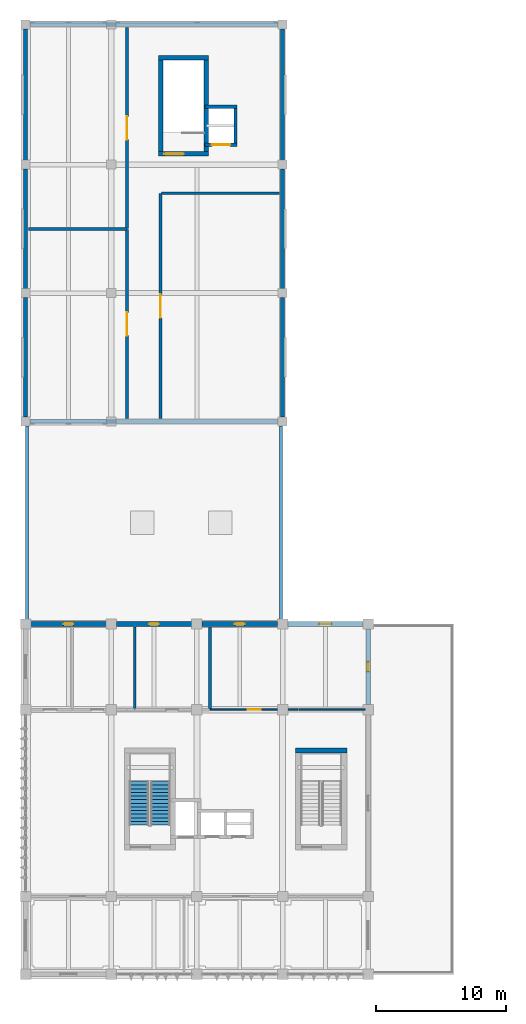
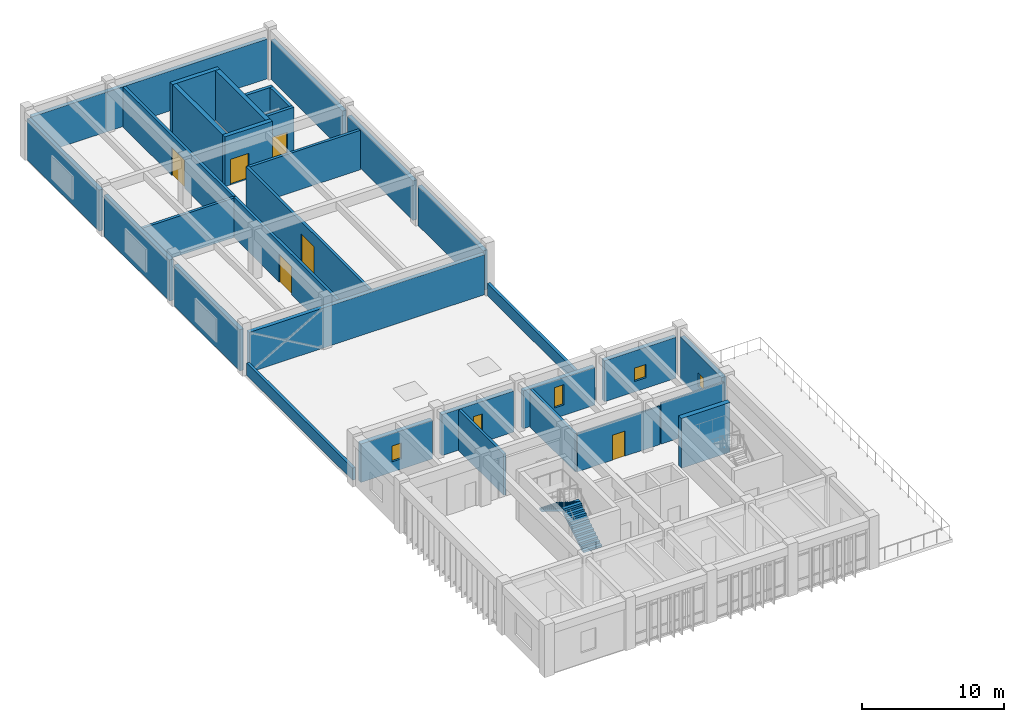
# One storey, part 15 of 18: 32 walls, 6 doors, 5 windows, 2 stair flights, 11 openings, 1 element without a shape of its own.
"""IFC4 building model written with IfcOpenShell, lengths in metres."""

from ifc_helpers import new_model, si_unit, direction, frame, frame_2d, origin, place, context, subcontext, project, spatial, polyline, rectangle, outline, extrude, material, layer, layer_set, type_object, element, fill, aggregate, save


model = new_model("IFC4")

# Units and contexts
model_context = context("Model", 3, precision=1e-05, world=origin(), true_north=direction((0.0, 1.0)))
body_context = subcontext(model_context, "Body", "Model", "MODEL_VIEW")
ifc_project = project(units=[si_unit("LENGTHUNIT", "METRE"), si_unit("AREAUNIT", "SQUARE_METRE"), si_unit("VOLUMEUNIT", "CUBIC_METRE"), si_unit("PLANEANGLEUNIT", "RADIAN"), si_unit("MASSUNIT", "GRAM", prefix="KILO")], contexts=[model_context])

# Site, building, storey
site_placement = place(None, origin())
site = spatial("IfcSite", under=ifc_project, at=site_placement, CompositionType="ELEMENT")
building_placement = place(site_placement, origin())
building = spatial("IfcBuilding", under=site, at=building_placement, Name="Miralva Faculty of Natural Sciences", CompositionType="ELEMENT")
storey_placement = place(building_placement, frame((0.0, 0.0, 28.5)))
storey = spatial("IfcBuildingStorey", under=building, at=storey_placement, Name="L06", CompositionType="ELEMENT", Elevation=28.5)

# Wall
ifc_material_1 = material(Name="Concrete C50/60", Category="concrete")
ifc_layer_1 = layer(ifc_material_1, 0.39990234375, Name="WL-CW01")
ifc_layer_set_1 = layer_set([ifc_layer_1], Name="Concrete C50/60")
wall_type_1 = type_object("IfcWallType", Name="WL-CW01", PredefinedType="SHEAR", material=ifc_layer_set_1)
wall_1_placement = place(storey_placement, frame((23.800048828125, 20.25, 0.0), z_axis=(0.0, 0.0, 1.0), x_axis=(1.0, 0.0, 0.0)))
element("IfcWall", 1, at=wall_1_placement, inside=storey, type_object=wall_type_1, Name="Core C1B shear wall north L06", PredefinedType="SHEAR", context=body_context, shape_type="SweptSolid", body=[
    extrude(rectangle(XDim=3.949951171875, YDim=0.39990234375, at=frame_2d((1.97509765625, 0.0))), origin(), (0.0, 0.0, 1.0), 4.280029296875),
])

# Wall, opening, door
ifc_layer_2 = layer(ifc_material_1, 0.35009765625, Name="WL-CW02")
ifc_layer_set_2 = layer_set([ifc_layer_2], Name="Concrete C50/60")
wall_type_2 = type_object("IfcWallType", Name="WL-CW02", PredefinedType="SHEAR", material=ifc_layer_set_2)
wall_2_placement = place(storey_placement, frame((13.25, 66.22509765625, 0.0), z_axis=(0.0, 0.0, 1.0), x_axis=(1.0, 0.0, 0.0)))
wall_2 = element("IfcWall", 2, at=wall_2_placement, inside=storey, type_object=wall_type_2, Name="Core C2 shear wall south L06", PredefinedType="SHEAR", context=body_context, shape_type="SweptSolid", body=[
    extrude(rectangle(XDim=3.85009765625, YDim=0.35009765625, at=frame_2d((1.925048828125, 0.0))), origin(), (0.0, 0.0, 1.0), 4.280029296875),
])
opening_1_placement = place(wall_2_placement, frame((0.449951171875, 0.0, 0.0)))
opening_1 = element("IfcOpeningElement", 3, at=opening_1_placement, cuts=wall_2, Name="Opening D-11", PredefinedType="OPENING", context=body_context, shape_type="SweptSolid", body=[
    extrude(rectangle(XDim=1.5, YDim=2.199951171875, at=frame_2d((0.75, 1.10009765625))), frame((0.0, 0.18505859375, 0.0), z_axis=(0.0, -1.0, 0.0), x_axis=(1.0, 0.0, 0.0)), (0.0, 0.0, 1.0), 0.3701171875),
])
ifc_material_2 = material(Name="Galvanised steel", Category="steel")
door_type_1 = type_object("IfcDoorType", Name="DR-DI11", OperationType="DOUBLE_DOOR_SINGLE_SWING", PredefinedType="DOOR", material=ifc_material_2)
door_1_placement = place(opening_1_placement, frame((1.5, 0.0, 0.0), z_axis=(0.0, 0.0, 1.0), x_axis=(-1.0, 0.0, 0.0)))
door_1 = element("IfcDoor", 4, at=door_1_placement, inside=storey, type_object=door_type_1, Name="Protected exit stair door Core C2 L06", OperationType="DOUBLE_DOOR_SINGLE_SWING", OverallHeight=2.199951171875, OverallWidth=1.5, PredefinedType="DOOR", context=body_context, shape_type="SweptSolid", body=[
    extrude(rectangle(XDim=1.5, YDim=2.199951171875, at=frame_2d((0.75, 1.10009765625))), frame((0.0, 0.02490234375, 0.0), z_axis=(0.0, -1.0, 0.0), x_axis=(1.0, 0.0, 0.0)), (0.0, 0.0, 1.0), 0.050048828125),
])
fill(opening_1, door_1)

# Walls
wall_3_placement = place(storey_placement, frame((13.25, 73.625, 0.0), z_axis=(0.0, 0.0, 1.0), x_axis=(1.0, 0.0, 0.0)))
element("IfcWall", 5, at=wall_3_placement, inside=storey, type_object=wall_type_2, Name="Core C2 shear wall north L06", PredefinedType="SHEAR", context=body_context, shape_type="SweptSolid", body=[
    extrude(rectangle(XDim=3.85009765625, YDim=0.35009765625, at=frame_2d((1.925048828125, 0.0))), origin(), (0.0, 0.0, 1.0), 4.280029296875),
])
for number, where, z_axis, x_axis, name in (
    (6, (13.425048828125, 66.39990234375, 0.0), (0.0, 0.0, 1.0), (0.0, 1.0, 0.0), "Core C2 shear wall west L06"),
    (7, (16.925048828125, 66.39990234375, 0.0), (0.0, 0.0, 1.0), (0.0, 1.0, 0.0), "Core C2 shear wall east L06"),
):
    element("IfcWall", number, at=place(storey_placement, frame(where, z_axis=z_axis, x_axis=x_axis)), inside=storey, type_object=wall_type_2, Name=name, PredefinedType="SHEAR", context=body_context, shape_type="SweptSolid", body=[
        extrude(rectangle(XDim=7.050048828125, YDim=0.35009765625, at=frame_2d((3.52490234375, 0.0))), origin(), (0.0, 0.0, 1.0), 4.280029296875),
    ])

# Wall, opening, door
ifc_material_3 = material(Name="Concrete C40/50", Category="concrete")
ifc_layer_3 = layer(ifc_material_3, 0.25, Name="WL-CW04")
ifc_layer_set_3 = layer_set([ifc_layer_3], Name="Concrete C40/50")
wall_type_3 = type_object("IfcWallType", Name="WL-CW04", PredefinedType="SHEAR", material=ifc_layer_set_3)
wall_4_placement = place(storey_placement, frame((16.804931640625, 66.929931640625, 0.0), z_axis=(0.0, 0.0, 1.0), x_axis=(1.0, 0.0, 0.0)))
wall_4 = element("IfcWall", 8, at=wall_4_placement, inside=storey, type_object=wall_type_3, Name="Lift L-04 hoistway front wall L06", PredefinedType="SHEAR", context=body_context, shape_type="SweptSolid", body=[
    extrude(rectangle(XDim=2.489990234375, YDim=0.25, at=frame_2d((1.2451171875, 0.0))), origin(), (0.0, 0.0, 1.0), 4.260009765625),
])
opening_2_placement = place(wall_4_placement, frame((0.544921875, 0.0, 0.0)))
opening_2 = element("IfcOpeningElement", 9, at=opening_2_placement, cuts=wall_4, Name="Opening LD-04", PredefinedType="OPENING", context=body_context, shape_type="SweptSolid", body=[
    extrude(rectangle(XDim=1.39990234375, YDim=2.300048828125, at=frame_2d((0.699951171875, 1.14990234375))), frame((0.0, 0.135009765625, 0.0), z_axis=(0.0, -1.0, 0.0), x_axis=(1.0, 0.0, 0.0)), (0.0, 0.0, 1.0), 0.27001953125),
])
door_type_2 = type_object("IfcDoorType", Name="DR-LD04", OperationType="DOUBLE_DOOR_SLIDING", PredefinedType="DOOR", material=ifc_material_2)
door_2_placement = place(opening_2_placement, frame((1.39990234375, 0.0, 0.0), z_axis=(0.0, 0.0, 1.0), x_axis=(-1.0, 0.0, 0.0)))
door_2 = element("IfcDoor", 10, at=door_2_placement, inside=storey, type_object=door_type_2, Name="Lift L-04 sliding landing door L06", OperationType="DOUBLE_DOOR_SLIDING", OverallHeight=2.300048828125, OverallWidth=1.39990234375, PredefinedType="DOOR", context=body_context, shape_type="SweptSolid", body=[
    extrude(rectangle(XDim=1.39990234375, YDim=2.300048828125, at=frame_2d((0.699951171875, 1.14990234375))), frame((0.0, 0.02490234375, 0.0), z_axis=(0.0, -1.0, 0.0), x_axis=(1.0, 0.0, 0.0)), (0.0, 0.0, 1.0), 0.050048828125),
])
fill(opening_2, door_2)

# Walls
wall_5_placement = place(storey_placement, frame((16.804931640625, 69.8701171875, 0.0), z_axis=(0.0, 0.0, 1.0), x_axis=(1.0, 0.0, 0.0)))
element("IfcWall", 11, at=wall_5_placement, inside=storey, type_object=wall_type_3, Name="Lift L-04 hoistway rear wall L06", PredefinedType="SHEAR", context=body_context, shape_type="SweptSolid", body=[
    extrude(rectangle(XDim=2.489990234375, YDim=0.25, at=frame_2d((1.2451171875, 0.0))), origin(), (0.0, 0.0, 1.0), 4.260009765625),
])
wall_6_placement = place(storey_placement, frame((19.169921875, 67.054931640625, 0.0), z_axis=(0.0, 0.0, 1.0), x_axis=(0.0, 1.0, 0.0)))
element("IfcWall", 12, at=wall_6_placement, inside=storey, type_object=wall_type_3, Name="Lift L-04 hoistway E wall L06", PredefinedType="SHEAR", context=body_context, shape_type="SweptSolid", body=[
    extrude(rectangle(XDim=2.690185546875, YDim=0.25, at=frame_2d((1.34521484375, 0.0))), origin(), (0.0, 0.0, 1.0), 4.260009765625),
])
ifc_material_4 = material(Name="Precast concrete C40/50", Category="concrete")
ifc_layer_4 = layer(ifc_material_4, 0.22998046875, Name="WL-PA01")
ifc_layer_set_4 = layer_set([ifc_layer_4], Name="Precast concrete C40/50")
wall_type_4 = type_object("IfcWallType", Name="WL-PA01", PredefinedType="PARAPET", material=ifc_layer_set_4)
for number, where, z_axis, x_axis, name in (
    (13, (3.1201171875, 30.35009765625, 0.0), (0.0, 0.0, 1.0), (0.0, 1.0, 0.0), "Roof parapet L06-13"),
    (14, (22.679931640625, 30.35009765625, 0.0), (0.0, 0.0, 1.0), (0.0, 1.0, 0.0), "Roof parapet L06-14"),
):
    element("IfcWall", number, at=place(storey_placement, frame(where, z_axis=z_axis, x_axis=x_axis)), inside=storey, type_object=wall_type_4, Name=name, PredefinedType="PARAPET", context=body_context, shape_type="SweptSolid", body=[
        extrude(rectangle(XDim=14.89990234375, YDim=0.22998046875, at=frame_2d((7.449951171875, 0.0))), origin(), (0.0, 0.0, 1.0), 1.050048828125),
    ])
ifc_material_5 = material(Name="Concrete C35/45", Category="concrete")
ifc_layer_5 = layer(ifc_material_5, 0.219970703125, Name="WL-PT01")
ifc_layer_set_5 = layer_set([ifc_layer_5], Name="Concrete C35/45")
wall_type_5 = type_object("IfcWallType", Name="WL-PT01", PredefinedType="PARTITIONING", material=ifc_layer_set_5)
wall_7_placement = place(storey_placement, frame((3.22998046875, 60.449951171875, 0.0), z_axis=(0.0, 0.0, 1.0), x_axis=(1.0, 0.0, 0.0)))
element("IfcWall", 15, at=wall_7_placement, inside=storey, type_object=wall_type_5, Name="Interior partition PT-01 L06-502", PredefinedType="PARTITIONING", context=body_context, shape_type="SweptSolid", body=[
    extrude(rectangle(XDim=7.5400390625, YDim=0.219970703125, at=frame_2d((3.77001953125, 0.0))), origin(), (0.0, 0.0, 1.0), 3.39501953125),
])

# Wall, opening, door
wall_8_placement = place(storey_placement, frame((10.800048828125, 45.830078125, 0.0), z_axis=(0.0, 0.0, 1.0), x_axis=(0.0, 1.0, 0.0)))
wall_8 = element("IfcWall", 16, at=wall_8_placement, inside=storey, type_object=wall_type_5, Name="Interior partition PT-01 L06-503", PredefinedType="PARTITIONING", context=body_context, shape_type="SweptSolid", body=[
    extrude(rectangle(XDim=14.58984375, YDim=0.219970703125, at=frame_2d((7.294921875, 0.0))), origin(), (0.0, 0.0, 1.0), 3.445068359375),
])
opening_3_placement = place(wall_8_placement, frame((6.39501953125, 0.0, 0.0)))
opening_3 = element("IfcOpeningElement", 17, at=opening_3_placement, cuts=wall_8, Name="Opening D-16", PredefinedType="OPENING", context=body_context, shape_type="SweptSolid", body=[
    extrude(rectangle(XDim=1.800048828125, YDim=2.39990234375, at=frame_2d((0.89990234375, 1.199951171875))), frame((0.0, 0.119873046875, 0.0), z_axis=(0.0, -1.0, 0.0), x_axis=(1.0, 0.0, 0.0)), (0.0, 0.0, 1.0), 0.239990234375),
])
door_type_3 = type_object("IfcDoorType", Name="DR-DI16", OperationType="DOUBLE_DOOR_SINGLE_SWING", PredefinedType="DOOR", material=ifc_material_2)
door_3_placement = place(opening_3_placement, origin())
door_3 = element("IfcDoor", 18, at=door_3_placement, inside=storey, type_object=door_type_3, Name="Interior door D-16 L06-187", OperationType="DOUBLE_DOOR_SINGLE_SWING", OverallHeight=2.39990234375, OverallWidth=1.800048828125, PredefinedType="DOOR", context=body_context, shape_type="SweptSolid", body=[
    extrude(rectangle(XDim=1.800048828125, YDim=2.39990234375, at=frame_2d((0.89990234375, 1.199951171875))), frame((0.0, 0.02490234375, 0.0), z_axis=(0.0, -1.0, 0.0), x_axis=(1.0, 0.0, 0.0)), (0.0, 0.0, 1.0), 0.050048828125),
])
fill(opening_3, door_3)

wall_9_placement = place(storey_placement, frame((13.39990234375, 45.830078125, 0.0), z_axis=(0.0, 0.0, 1.0), x_axis=(0.0, 1.0, 0.0)))
wall_9 = element("IfcWall", 19, at=wall_9_placement, inside=storey, type_object=wall_type_5, Name="Interior partition PT-01 L06-504", PredefinedType="PARTITIONING", context=body_context, shape_type="SweptSolid", body=[
    extrude(rectangle(XDim=17.33984375, YDim=0.219970703125, at=frame_2d((8.669921875, 0.0))), origin(), (0.0, 0.0, 1.0), 3.445068359375),
])
opening_4_placement = place(wall_9_placement, frame((7.77001953125, 0.0, 0.0)))
opening_4 = element("IfcOpeningElement", 20, at=opening_4_placement, cuts=wall_9, Name="Opening D-16", PredefinedType="OPENING", context=body_context, shape_type="SweptSolid", body=[
    extrude(rectangle(XDim=1.800048828125, YDim=2.39990234375, at=frame_2d((0.89990234375, 1.199951171875))), frame((0.0, 0.119873046875, 0.0), z_axis=(0.0, -1.0, 0.0), x_axis=(1.0, 0.0, 0.0)), (0.0, 0.0, 1.0), 0.239990234375),
])
door_4_placement = place(opening_4_placement, origin())
door_4 = element("IfcDoor", 21, at=door_4_placement, inside=storey, type_object=door_type_3, Name="Interior door D-16 L06-188", OperationType="DOUBLE_DOOR_SINGLE_SWING", OverallHeight=2.39990234375, OverallWidth=1.800048828125, PredefinedType="DOOR", context=body_context, shape_type="SweptSolid", body=[
    extrude(rectangle(XDim=1.800048828125, YDim=2.39990234375, at=frame_2d((0.89990234375, 1.199951171875))), frame((0.0, 0.02490234375, 0.0), z_axis=(0.0, -1.0, 0.0), x_axis=(1.0, 0.0, 0.0)), (0.0, 0.0, 1.0), 0.050048828125),
])
fill(opening_4, door_4)

# Wall
wall_10_placement = place(storey_placement, frame((13.455078125, 63.199951171875, 0.0), z_axis=(0.0, 0.0, 1.0), x_axis=(1.0, 0.0, 0.0)))
element("IfcWall", 22, at=wall_10_placement, inside=storey, type_object=wall_type_5, Name="Interior partition PT-01 L06-505", PredefinedType="PARTITIONING", context=body_context, shape_type="SweptSolid", body=[
    extrude(rectangle(XDim=9.114990234375, YDim=0.219970703125, at=frame_2d((4.5576171875, 0.0))), origin(), (0.0, 0.0, 1.0), 3.39501953125),
])

# Wall, opening, door
wall_11_placement = place(storey_placement, frame((10.800048828125, 60.47998046875, 0.0), z_axis=(0.0, 0.0, 1.0), x_axis=(0.0, 1.0, 0.0)))
wall_11 = element("IfcWall", 23, at=wall_11_placement, inside=storey, type_object=wall_type_5, Name="Interior partition PT-01 L06-506", PredefinedType="PARTITIONING", context=body_context, shape_type="SweptSolid", body=[
    extrude(rectangle(XDim=15.489990234375, YDim=0.219970703125, at=frame_2d((7.7451171875, 0.0))), origin(), (0.0, 0.0, 1.0), 3.445068359375),
])
opening_5_placement = place(wall_11_placement, frame((6.844970703125, 0.0, 0.0)))
opening_5 = element("IfcOpeningElement", 24, at=opening_5_placement, cuts=wall_11, Name="Opening D-16", PredefinedType="OPENING", context=body_context, shape_type="SweptSolid", body=[
    extrude(rectangle(XDim=1.800048828125, YDim=2.39990234375, at=frame_2d((0.89990234375, 1.199951171875))), frame((0.0, 0.119873046875, 0.0), z_axis=(0.0, -1.0, 0.0), x_axis=(1.0, 0.0, 0.0)), (0.0, 0.0, 1.0), 0.239990234375),
])
door_5_placement = place(opening_5_placement, origin())
door_5 = element("IfcDoor", 25, at=door_5_placement, inside=storey, type_object=door_type_3, Name="Interior door D-16 L06-189", OperationType="DOUBLE_DOOR_SINGLE_SWING", OverallHeight=2.39990234375, OverallWidth=1.800048828125, PredefinedType="DOOR", context=body_context, shape_type="SweptSolid", body=[
    extrude(rectangle(XDim=1.800048828125, YDim=2.39990234375, at=frame_2d((0.89990234375, 1.199951171875))), frame((0.0, 0.02490234375, 0.0), z_axis=(0.0, -1.0, 0.0), x_axis=(1.0, 0.0, 0.0)), (0.0, 0.0, 1.0), 0.050048828125),
])
fill(opening_5, door_5)

# Wall
ifc_material_6 = material(Name="Gypsum plasterboard")
ifc_layer_6 = layer(ifc_material_6, 0.125, Name="WL-PT05")
ifc_layer_set_6 = layer_set([ifc_layer_6], Name="Gypsum plasterboard")
wall_type_6 = type_object("IfcWallType", Name="WL-PT05", PredefinedType="PARTITIONING", material=ifc_layer_set_6)
wall_12_placement = place(storey_placement, frame((24.030029296875, 23.39990234375, 0.0), z_axis=(0.0, 0.0, 1.0), x_axis=(1.0, 0.0, 0.0)))
element("IfcWall", 26, at=wall_12_placement, inside=storey, type_object=wall_type_6, Name="Interior partition PT-05 L06-500", PredefinedType="PARTITIONING", context=body_context, shape_type="SweptSolid", body=[
    extrude(rectangle(XDim=5.139892578125, YDim=0.125, at=frame_2d((2.56982421875, 0.0))), origin(), (0.0, 0.0, 1.0), 3.52490234375),
])

# Wall, opening, door
wall_13_placement = place(storey_placement, frame((17.22998046875, 23.39990234375, 0.0), z_axis=(0.0, 0.0, 1.0), x_axis=(1.0, 0.0, 0.0)))
wall_13 = element("IfcWall", 27, at=wall_13_placement, inside=storey, type_object=wall_type_6, Name="Interior partition PT-05 L06-501", PredefinedType="PARTITIONING", context=body_context, shape_type="SweptSolid", body=[
    extrude(rectangle(XDim=6.739990234375, YDim=0.125, at=frame_2d((3.3701171875, 0.0))), origin(), (0.0, 0.0, 1.0), 3.294921875),
])
opening_6_placement = place(wall_13_placement, frame((2.8701171875, 0.0, 0.0)))
opening_6 = element("IfcOpeningElement", 28, at=opening_6_placement, cuts=wall_13, Name="Opening D-25", PredefinedType="OPENING", context=body_context, shape_type="SweptSolid", body=[
    extrude(rectangle(XDim=1.0, YDim=2.14990234375, at=frame_2d((0.5, 1.074951171875))), frame((0.0, 0.072509765625, 0.0), z_axis=(0.0, -1.0, 0.0), x_axis=(1.0, 0.0, 0.0)), (0.0, 0.0, 1.0), 0.14501953125),
])
ifc_material_7 = material(Name="Anodised aluminium", Category="aluminium")
door_type_4 = type_object("IfcDoorType", Name="DR-DI25", OperationType="NOTDEFINED", PredefinedType="DOOR", material=ifc_material_7)
door_6_placement = place(opening_6_placement, origin())
door_6 = element("IfcDoor", 29, at=door_6_placement, inside=storey, type_object=door_type_4, Name="Interior door D-25 L06-186", OperationType="SINGLE_SWING_LEFT", OverallHeight=2.14990234375, OverallWidth=1.0, PredefinedType="DOOR", context=body_context, shape_type="SweptSolid", body=[
    extrude(rectangle(XDim=1.0, YDim=2.14990234375, at=frame_2d((0.5, 1.074951171875))), frame((0.0, 0.02490234375, 0.0), z_axis=(0.0, -1.0, 0.0), x_axis=(1.0, 0.0, 0.0)), (0.0, 0.0, 1.0), 0.050048828125),
])
fill(opening_6, door_6)

# Walls
ifc_layer_7 = layer(ifc_material_6, 0.2099609375, Name="WL-PT06")
ifc_layer_set_7 = layer_set([ifc_layer_7], Name="Gypsum plasterboard")
wall_type_7 = type_object("IfcWallType", Name="WL-PT06", PredefinedType="PLUMBINGWALL", material=ifc_layer_set_7)
wall_14_placement = place(storey_placement, frame((11.39990234375, 23.429931640625, 0.0), z_axis=(0.0, 0.0, 1.0), x_axis=(0.0, 1.0, 0.0)))
element("IfcWall", 30, at=wall_14_placement, inside=storey, type_object=wall_type_7, Name="Interior partition PT-06 L06-495", PredefinedType="PLUMBINGWALL", context=body_context, shape_type="SweptSolid", body=[
    extrude(rectangle(XDim=6.340087890625, YDim=0.2099609375, at=frame_2d((3.169921875, 0.0))), origin(), (0.0, 0.0, 1.0), 3.52490234375),
])
wall_15_placement = place(storey_placement, frame((17.199951171875, 23.429931640625, 0.0), z_axis=(0.0, 0.0, 1.0), x_axis=(0.0, 1.0, 0.0)))
element("IfcWall", 31, at=wall_15_placement, inside=storey, type_object=wall_type_7, Name="Interior partition PT-06 L06-498", PredefinedType="PLUMBINGWALL", context=body_context, shape_type="SweptSolid", body=[
    extrude(rectangle(XDim=6.340087890625, YDim=0.2099609375, at=frame_2d((3.169921875, 0.0))), origin(), (0.0, 0.0, 1.0), 3.2548828125),
])

# Wall, opening, window
ifc_material_8 = material(Name="Volcanic tuff architectural stone", Category="masonry")
ifc_layer_8 = layer(ifc_material_8, 0.360107421875, Name="WL-WT01")
ifc_layer_set_8 = layer_set([ifc_layer_8], Name="Volcanic tuff architectural stone")
wall_type_8 = type_object("IfcWallType", Name="WL-WT01", PredefinedType="SOLIDWALL", material=ifc_layer_set_8)
wall_16_placement = place(storey_placement, frame((29.39990234375, 23.784912109375, 0.0), z_axis=(0.0, 0.0, 1.0), x_axis=(0.0, 1.0, 0.0)))
wall_16 = element("IfcWall", 32, at=wall_16_placement, inside=storey, type_object=wall_type_8, Name="Exterior wall L06-111", PredefinedType="SOLIDWALL", context=body_context, shape_type="SweptSolid", body=[
    extrude(rectangle(XDim=5.830078125, YDim=0.360107421875, at=frame_2d((2.9150390625, 0.0))), origin(), (0.0, 0.0, 1.0), 3.625),
])
opening_7_placement = place(wall_16_placement, frame((2.5400390625, 0.0, 0.89990234375)))
opening_7 = element("IfcOpeningElement", 33, at=opening_7_placement, cuts=wall_16, Name="Opening W-41", PredefinedType="OPENING", context=body_context, shape_type="SweptSolid", body=[
    extrude(rectangle(XDim=0.75, YDim=1.14990234375, at=frame_2d((0.375, 0.574951171875))), frame((0.0, 0.18994140625, 0.0), z_axis=(0.0, -1.0, 0.0), x_axis=(1.0, 0.0, 0.0)), (0.0, 0.0, 1.0), 0.380126953125),
])
ifc_material_9 = material(Name="Laminated solar-control glass", Category="glass")
window_type_1 = type_object("IfcWindowType", Name="WN-W41", PartitioningType="DOUBLE_PANEL_VERTICAL", PredefinedType="WINDOW", material=ifc_material_9)
window_1_placement = place(opening_7_placement, frame((0.75, 0.0, 0.0), z_axis=(0.0, 0.0, 1.0), x_axis=(-1.0, 0.0, 0.0)))
window_1 = element("IfcWindow", 34, at=window_1_placement, inside=storey, type_object=window_type_1, Name="Window W-41 L06-56", OverallHeight=1.14990234375, OverallWidth=0.75, PartitioningType="DOUBLE_PANEL_VERTICAL", PredefinedType="WINDOW", context=body_context, shape_type="SweptSolid", body=[
    extrude(rectangle(XDim=0.75, YDim=1.14990234375, at=frame_2d((0.375, 0.574951171875))), frame((0.0, 0.030029296875, 0.0), z_axis=(0.0, -1.0, 0.0), x_axis=(1.0, 0.0, 0.0)), (0.0, 0.0, 1.0), 0.06005859375),
])
fill(opening_7, window_1)

wall_17_placement = place(storey_placement, frame((3.385009765625, 30.0, 0.0), z_axis=(0.0, 0.0, 1.0), x_axis=(1.0, 0.0, 0.0)))
wall_17 = element("IfcWall", 35, at=wall_17_placement, inside=storey, type_object=wall_type_8, Name="Exterior wall L06-112", PredefinedType="SOLIDWALL", context=body_context, shape_type="SweptSolid", body=[
    extrude(rectangle(XDim=5.830078125, YDim=0.360107421875, at=frame_2d((2.9150390625, 0.0))), origin(), (0.0, 0.0, 1.0), 3.31494140625),
])
opening_8_placement = place(wall_17_placement, frame((2.5400390625, 0.0, 0.89990234375)))
opening_8 = element("IfcOpeningElement", 36, at=opening_8_placement, cuts=wall_17, Name="Opening W-42", PredefinedType="OPENING", context=body_context, shape_type="SweptSolid", body=[
    extrude(rectangle(XDim=0.75, YDim=1.35009765625, at=frame_2d((0.375, 0.675048828125))), frame((0.0, 0.18994140625, 0.0), z_axis=(0.0, -1.0, 0.0), x_axis=(1.0, 0.0, 0.0)), (0.0, 0.0, 1.0), 0.380126953125),
])
window_type_2 = type_object("IfcWindowType", Name="WN-W42", PartitioningType="DOUBLE_PANEL_VERTICAL", PredefinedType="WINDOW", material=ifc_material_9)
window_2_placement = place(opening_8_placement, origin())
window_2 = element("IfcWindow", 37, at=window_2_placement, inside=storey, type_object=window_type_2, Name="Window W-42 L06-57", OverallHeight=1.35009765625, OverallWidth=0.75, PartitioningType="DOUBLE_PANEL_VERTICAL", PredefinedType="WINDOW", context=body_context, shape_type="SweptSolid", body=[
    extrude(rectangle(XDim=0.75, YDim=1.35009765625, at=frame_2d((0.375, 0.675048828125))), frame((0.0, 0.030029296875, 0.0), z_axis=(0.0, -1.0, 0.0), x_axis=(1.0, 0.0, 0.0)), (0.0, 0.0, 1.0), 0.06005859375),
])
fill(opening_8, window_2)

wall_18_placement = place(storey_placement, frame((9.985107421875, 30.0, 0.0), z_axis=(0.0, 0.0, 1.0), x_axis=(1.0, 0.0, 0.0)))
wall_18 = element("IfcWall", 38, at=wall_18_placement, inside=storey, type_object=wall_type_8, Name="Exterior wall L06-113", PredefinedType="SOLIDWALL", context=body_context, shape_type="SweptSolid", body=[
    extrude(rectangle(XDim=5.829833984375, YDim=0.360107421875, at=frame_2d((2.9150390625, 0.0))), origin(), (0.0, 0.0, 1.0), 3.52490234375),
])
opening_9_placement = place(wall_18_placement, frame((2.5400390625, 0.0, 0.89990234375)))
opening_9 = element("IfcOpeningElement", 39, at=opening_9_placement, cuts=wall_18, Name="Opening W-43", PredefinedType="OPENING", context=body_context, shape_type="SweptSolid", body=[
    extrude(rectangle(XDim=0.75, YDim=1.550048828125, at=frame_2d((0.375, 0.77490234375))), frame((0.0, 0.18994140625, 0.0), z_axis=(0.0, -1.0, 0.0), x_axis=(1.0, 0.0, 0.0)), (0.0, 0.0, 1.0), 0.380126953125),
])
window_type_3 = type_object("IfcWindowType", Name="WN-W43", PartitioningType="DOUBLE_PANEL_VERTICAL", PredefinedType="WINDOW", material=ifc_material_9)
window_3_placement = place(opening_9_placement, origin())
window_3 = element("IfcWindow", 40, at=window_3_placement, inside=storey, type_object=window_type_3, Name="Window W-43 L06-58", OverallHeight=1.550048828125, OverallWidth=0.75, PartitioningType="DOUBLE_PANEL_VERTICAL", PredefinedType="WINDOW", context=body_context, shape_type="SweptSolid", body=[
    extrude(rectangle(XDim=0.75, YDim=1.550048828125, at=frame_2d((0.375, 0.77490234375))), frame((0.0, 0.030029296875, 0.0), z_axis=(0.0, -1.0, 0.0), x_axis=(1.0, 0.0, 0.0)), (0.0, 0.0, 1.0), 0.06005859375),
])
fill(opening_9, window_3)

wall_19_placement = place(storey_placement, frame((16.5849609375, 30.0, 0.0), z_axis=(0.0, 0.0, 1.0), x_axis=(1.0, 0.0, 0.0)))
wall_19 = element("IfcWall", 41, at=wall_19_placement, inside=storey, type_object=wall_type_8, Name="Exterior wall L06-114", PredefinedType="SOLIDWALL", context=body_context, shape_type="SweptSolid", body=[
    extrude(rectangle(XDim=5.830078125, YDim=0.360107421875, at=frame_2d((2.9150390625, 0.0))), origin(), (0.0, 0.0, 1.0), 3.2548828125),
])
opening_10_placement = place(wall_19_placement, frame((2.5400390625, 0.0, 0.89990234375)))
opening_10 = element("IfcOpeningElement", 42, at=opening_10_placement, cuts=wall_19, Name="Opening W-44", PredefinedType="OPENING", context=body_context, shape_type="SweptSolid", body=[
    extrude(rectangle(XDim=0.75, YDim=1.75, at=frame_2d((0.375, 0.875))), frame((0.0, 0.18994140625, 0.0), z_axis=(0.0, -1.0, 0.0), x_axis=(1.0, 0.0, 0.0)), (0.0, 0.0, 1.0), 0.380126953125),
])
window_type_4 = type_object("IfcWindowType", Name="WN-W44", PartitioningType="DOUBLE_PANEL_VERTICAL", PredefinedType="WINDOW", material=ifc_material_9)
window_4_placement = place(opening_10_placement, origin())
window_4 = element("IfcWindow", 43, at=window_4_placement, inside=storey, type_object=window_type_4, Name="Window W-44 L06-59", OverallHeight=1.75, OverallWidth=0.75, PartitioningType="DOUBLE_PANEL_VERTICAL", PredefinedType="WINDOW", context=body_context, shape_type="SweptSolid", body=[
    extrude(rectangle(XDim=0.75, YDim=1.75, at=frame_2d((0.375, 0.875))), frame((0.0, 0.030029296875, 0.0), z_axis=(0.0, -1.0, 0.0), x_axis=(1.0, 0.0, 0.0)), (0.0, 0.0, 1.0), 0.06005859375),
])
fill(opening_10, window_4)

wall_20_placement = place(storey_placement, frame((23.18505859375, 30.0, 0.0), z_axis=(0.0, 0.0, 1.0), x_axis=(1.0, 0.0, 0.0)))
wall_20 = element("IfcWall", 44, at=wall_20_placement, inside=storey, type_object=wall_type_8, Name="Exterior wall L06-115", PredefinedType="SOLIDWALL", context=body_context, shape_type="SweptSolid", body=[
    extrude(rectangle(XDim=5.829833984375, YDim=0.360107421875, at=frame_2d((2.9150390625, 0.0))), origin(), (0.0, 0.0, 1.0), 3.52490234375),
])
opening_11_placement = place(wall_20_placement, frame((2.43994140625, 0.0, 0.89990234375)))
opening_11 = element("IfcOpeningElement", 45, at=opening_11_placement, cuts=wall_20, Name="Opening W-45", PredefinedType="OPENING", context=body_context, shape_type="SweptSolid", body=[
    extrude(rectangle(XDim=0.949951171875, YDim=1.14990234375, at=frame_2d((0.47509765625, 0.574951171875))), frame((0.0, 0.18994140625, 0.0), z_axis=(0.0, -1.0, 0.0), x_axis=(1.0, 0.0, 0.0)), (0.0, 0.0, 1.0), 0.380126953125),
])
window_type_5 = type_object("IfcWindowType", Name="WN-W45", PartitioningType="DOUBLE_PANEL_VERTICAL", PredefinedType="WINDOW", material=ifc_material_9)
window_5_placement = place(opening_11_placement, origin())
window_5 = element("IfcWindow", 46, at=window_5_placement, inside=storey, type_object=window_type_5, Name="Window W-45 L06-60", OverallHeight=1.14990234375, OverallWidth=0.949951171875, PartitioningType="DOUBLE_PANEL_VERTICAL", PredefinedType="WINDOW", context=body_context, shape_type="SweptSolid", body=[
    extrude(rectangle(XDim=0.949951171875, YDim=1.14990234375, at=frame_2d((0.47509765625, 0.574951171875))), frame((0.0, 0.030029296875, 0.0), z_axis=(0.0, -1.0, 0.0), x_axis=(1.0, 0.0, 0.0)), (0.0, 0.0, 1.0), 0.06005859375),
])
fill(opening_11, window_5)

# Walls
ifc_layer_9 = layer(ifc_material_4, 0.320068359375, Name="WL-WT02")
ifc_layer_set_9 = layer_set([ifc_layer_9], Name="Precast concrete C40/50")
wall_type_9 = type_object("IfcWallType", Name="WL-WT02", PredefinedType="SOLIDWALL", material=ifc_layer_set_9)
for number, where, z_axis, x_axis, name in (
    (47, (3.0, 45.93505859375, 0.0), (0.0, 0.0, 1.0), (0.0, 1.0, 0.0), "Exterior wall L06-280"),
    (48, (3.0, 55.8349609375, 0.0), (0.0, 0.0, 1.0), (0.0, 1.0, 0.0), "Exterior wall L06-281"),
):
    element("IfcWall", number, at=place(storey_placement, frame(where, z_axis=z_axis, x_axis=x_axis)), inside=storey, type_object=wall_type_9, Name=name, PredefinedType="SOLIDWALL", context=body_context, shape_type="SweptSolid", body=[
        extrude(rectangle(XDim=9.22998046875, YDim=0.320068359375, at=frame_2d((4.614990234375, 0.0))), origin(), (0.0, 0.0, 1.0), 3.544921875),
    ])
wall_21_placement = place(storey_placement, frame((3.0, 65.735107421875, 0.0), z_axis=(0.0, 0.0, 1.0), x_axis=(0.0, 1.0, 0.0)))
element("IfcWall", 49, at=wall_21_placement, inside=storey, type_object=wall_type_9, Name="Exterior wall L06-282", PredefinedType="SOLIDWALL", context=body_context, shape_type="SweptSolid", body=[
    extrude(rectangle(XDim=10.1298828125, YDim=0.320068359375, at=frame_2d((5.06494140625, 0.0))), origin(), (0.0, 0.0, 1.0), 3.544921875),
])
for number, where, z_axis, x_axis, name in (
    (50, (22.800048828125, 45.93505859375, 0.0), (0.0, 0.0, 1.0), (0.0, 1.0, 0.0), "Exterior wall L06-283"),
    (51, (22.800048828125, 55.8349609375, 0.0), (0.0, 0.0, 1.0), (0.0, 1.0, 0.0), "Exterior wall L06-284"),
):
    element("IfcWall", number, at=place(storey_placement, frame(where, z_axis=z_axis, x_axis=x_axis)), inside=storey, type_object=wall_type_9, Name=name, PredefinedType="SOLIDWALL", context=body_context, shape_type="SweptSolid", body=[
        extrude(rectangle(XDim=9.22998046875, YDim=0.320068359375, at=frame_2d((4.614990234375, 0.0))), origin(), (0.0, 0.0, 1.0), 3.39501953125),
    ])
wall_22_placement = place(storey_placement, frame((22.800048828125, 65.735107421875, 0.0), z_axis=(0.0, 0.0, 1.0), x_axis=(0.0, 1.0, 0.0)))
element("IfcWall", 52, at=wall_22_placement, inside=storey, type_object=wall_type_9, Name="Exterior wall L06-285", PredefinedType="SOLIDWALL", context=body_context, shape_type="SweptSolid", body=[
    extrude(rectangle(XDim=10.1298828125, YDim=0.320068359375, at=frame_2d((5.06494140625, 0.0))), origin(), (0.0, 0.0, 1.0), 3.39501953125),
])
wall_23_placement = place(storey_placement, frame((3.3349609375, 76.199951171875, 0.0), z_axis=(0.0, 0.0, 1.0), x_axis=(1.0, 0.0, 0.0)))
element("IfcWall", 53, at=wall_23_placement, inside=storey, type_object=wall_type_9, Name="Exterior wall L06-286", PredefinedType="SOLIDWALL", context=body_context, shape_type="SweptSolid", body=[
    extrude(rectangle(XDim=19.130126953125, YDim=0.320068359375, at=frame_2d((9.56494140625, 0.0))), origin(), (0.0, 0.0, 1.0), 3.425048828125),
])
wall_24_placement = place(storey_placement, frame((3.3349609375, 45.60009765625, 0.0), z_axis=(0.0, 0.0, 1.0), x_axis=(1.0, 0.0, 0.0)))
element("IfcWall", 54, at=wall_24_placement, inside=storey, type_object=wall_type_9, Name="Exterior wall L06-287", PredefinedType="SOLIDWALL", context=body_context, shape_type="SweptSolid", body=[
    extrude(rectangle(XDim=19.130126953125, YDim=0.320068359375, at=frame_2d((9.56494140625, 0.0))), origin(), (0.0, 0.0, 1.0), 3.445068359375),
])

# Stair, stair flights
stair_type = type_object("IfcStairType", Name="ST-CORE-450", PredefinedType="HALF_TURN_STAIR", material=ifc_material_3)
stair_placement = place(storey_placement, origin())
stair = element("IfcStair", 55, at=stair_placement, inside=storey, type_object=stair_type, Name="Exit Stair Core C1 (ST-03) L06", PredefinedType="HALF_TURN_STAIR")
ifc_layer_10 = layer(ifc_material_3, 0.159912109375, Name="SFL-160-166")
ifc_layer_set_10 = layer_set([ifc_layer_10], Name="Concrete C40/50")
stair_flight_type = type_object("IfcStairFlightType", Name="SFL-160-166", PredefinedType="STRAIGHT", material=ifc_layer_set_10)
stair_flight_1_placement = place(storey_placement, frame((13.39990234375, 14.5, 0.0), z_axis=(0.0, 0.0, 1.0), x_axis=(0.0, 1.0, 0.0)))
stair_flight_1 = element("IfcStairFlight", 56, at=stair_flight_1_placement, type_object=stair_flight_type, Name="ST-03 flight 1", NumberOfRisers=13, NumberOfTreads=12, PredefinedType="STRAIGHT", RiserHeight=0.173076923, TreadLength=0.28, context=body_context, shape_type="SweptSolid", body=[
    extrude(outline(polyline([(0.0, 0.0), (0.0, 0.173095703125), (0.280029296875, 0.173095703125), (0.280029296875, 0.34619140625), (0.56005859375, 0.34619140625), (0.56005859375, 0.519287109375), (0.840087890625, 0.519287109375), (0.840087890625, 0.6923828125), (1.1201171875, 0.6923828125), (1.1201171875, 0.865478515625), (1.39990234375, 0.865478515625), (1.39990234375, 1.03857421875), (1.679931640625, 1.03857421875), (1.679931640625, 1.21142578125), (1.9599609375, 1.21142578125), (1.9599609375, 1.384521484375), (2.239990234375, 1.384521484375), (2.239990234375, 1.5576171875), (2.52001953125, 1.5576171875), (2.52001953125, 1.730712890625), (2.800048828125, 1.730712890625), (2.800048828125, 1.90380859375), (3.080078125, 1.90380859375), (3.080078125, 2.076904296875), (3.360107421875, 2.076904296875), (3.360107421875, 2.25), (3.360107421875, 1.900634765625), (0.28515625, 0.0), (0.0, 0.0)])), frame((0.0, 0.75, 0.0), z_axis=(0.0, -1.0, 0.0), x_axis=(1.0, 0.0, 0.0)), (0.0, 0.0, 1.0), 1.5),
])
stair_flight_2_placement = place(storey_placement, frame((11.75, 17.860107421875, 2.25), z_axis=(0.0, 0.0, 1.0), x_axis=(0.0, -1.0, 0.0)))
stair_flight_2 = element("IfcStairFlight", 57, at=stair_flight_2_placement, type_object=stair_flight_type, Name="ST-03 flight 2", NumberOfRisers=13, NumberOfTreads=12, PredefinedType="STRAIGHT", RiserHeight=0.173076923, TreadLength=0.28, context=body_context, shape_type="SweptSolid", body=[
    extrude(outline(polyline([(0.0, 0.0), (0.0, 0.173095703125), (0.280029296875, 0.173095703125), (0.280029296875, 0.34619140625), (0.56005859375, 0.34619140625), (0.56005859375, 0.519287109375), (0.840087890625, 0.519287109375), (0.840087890625, 0.6923828125), (1.1201171875, 0.6923828125), (1.1201171875, 0.865478515625), (1.39990234375, 0.865478515625), (1.39990234375, 1.03857421875), (1.679931640625, 1.03857421875), (1.679931640625, 1.21142578125), (1.9599609375, 1.21142578125), (1.9599609375, 1.384521484375), (2.239990234375, 1.384521484375), (2.239990234375, 1.5576171875), (2.52001953125, 1.5576171875), (2.52001953125, 1.730712890625), (2.800048828125, 1.730712890625), (2.800048828125, 1.90380859375), (3.080078125, 1.90380859375), (3.080078125, 2.076904296875), (3.360107421875, 2.076904296875), (3.360107421875, 2.25), (3.360107421875, 1.900634765625), (0.28515625, 0.0), (0.0, 0.0)])), frame((0.0, 0.75, 0.0), z_axis=(0.0, -1.0, 0.0), x_axis=(1.0, 0.0, 0.0)), (0.0, 0.0, 1.0), 1.5),
])
aggregate(stair, [stair_flight_1, stair_flight_2])

save(model, "model.ifc")
